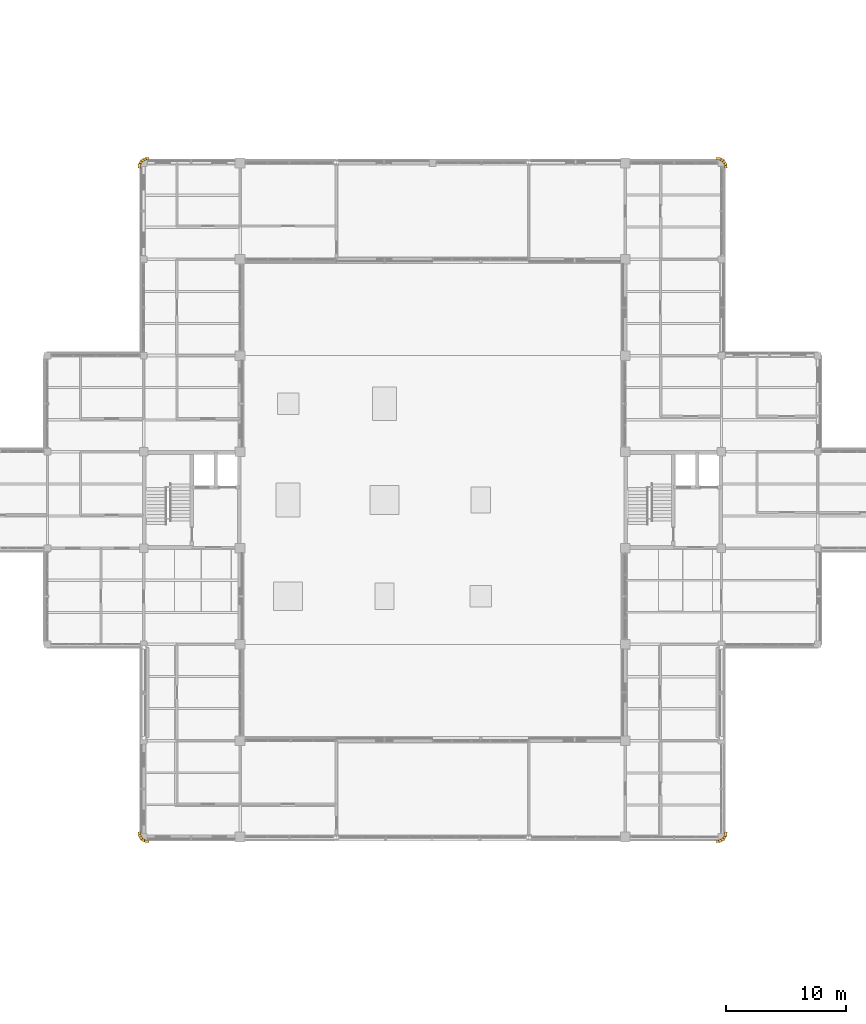
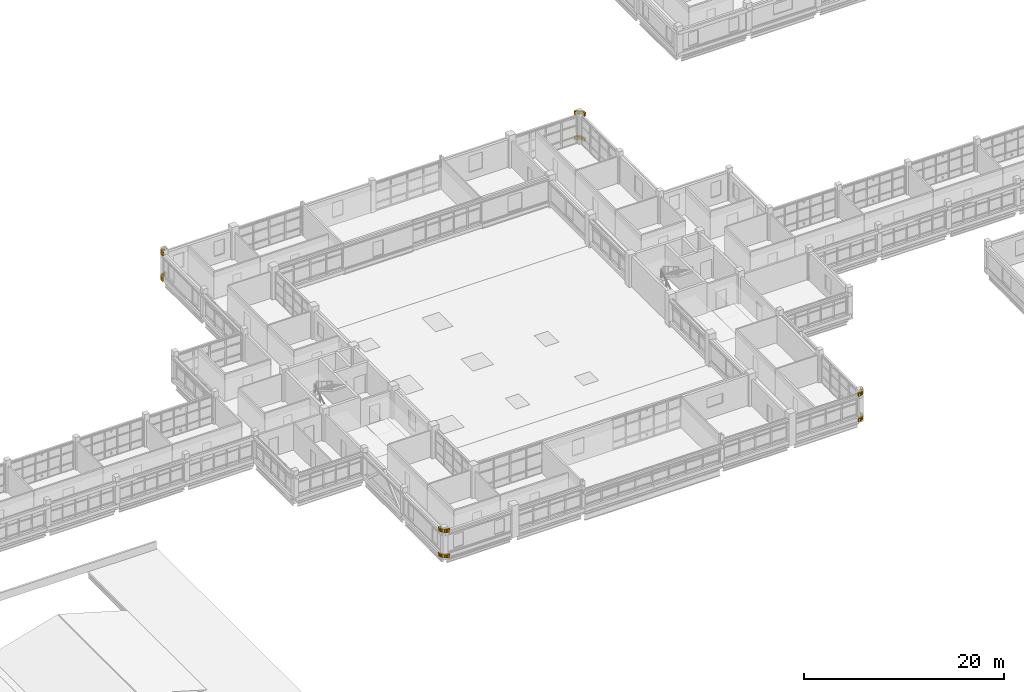
# One storey, part 107 of 107: 40 coverings.
"""IFC4 building model written with IfcOpenShell, lengths in metres."""

from ifc_helpers import new_model, si_unit, derived_unit, direction, frame, origin, origin_2d, place, context, subcontext, project, spatial, rectangle, extrude, material, layer, layer_set, type_object, element, save


model = new_model("IFC4")

# Units and contexts
model_context = context("Model", 3, precision=1e-05, world=origin(), true_north=direction((0.0, 1.0)))
body_context = subcontext(model_context, "Body", "Model", "MODEL_VIEW")
ifc_project = project(units=[si_unit("LENGTHUNIT", "METRE"), si_unit("AREAUNIT", "SQUARE_METRE"), si_unit("VOLUMEUNIT", "CUBIC_METRE"), si_unit("PLANEANGLEUNIT", "RADIAN"), si_unit("MASSUNIT", "GRAM", prefix="KILO"), derived_unit("THERMALTRANSMITTANCEUNIT", [(si_unit("MASSUNIT", "GRAM", prefix="KILO"), 1), (si_unit("TIMEUNIT", "SECOND"), -3), (si_unit("THERMODYNAMICTEMPERATUREUNIT", "KELVIN"), -1)])], contexts=[model_context])

# Site, building, storey
site_placement = place(None, origin())
site = spatial("IfcSite", under=ifc_project, at=site_placement, CompositionType="ELEMENT")
building_placement = place(site_placement, origin())
building = spatial("IfcBuilding", under=site, at=building_placement, Name="Veyamyaing Civic Hall", CompositionType="ELEMENT")
storey_placement = place(building_placement, frame((0.0, 0.0, 13.860107421875)))
storey = spatial("IfcBuildingStorey", under=building, at=storey_placement, Name="L03", CompositionType="ELEMENT", Elevation=13.860107421875)

# Coverings
ifc_material = material(Name="White powder-coated aluminium 6063-T6", Category="aluminium")
ifc_layer = layer(ifc_material, 0.2099609375, Name="White powder-coated aluminium 6063-T6")
ifc_layer_set = layer_set([ifc_layer], Name="White powder-coated aluminium 6063-T6")
covering_type = type_object("IfcCoveringType", Name="CL-03", PredefinedType="CLADDING", material=ifc_layer_set)
for number, where, z_axis, x_axis, name in (
    (1, (63.647705078125, 24.23876953125, 0.25), (0.0, 0.0, 1.0), (0.15643446504, -0.987688340595, 0.0), "Upper main block rounded corner white ribbon CL-03 L03 SW.1.1"),
    (2, (63.647705078125, 24.23876953125, 3.344970703125), (0.0, 0.0, 1.0), (0.15643446504, -0.987688340595, 0.0), "Upper main block rounded corner white ribbon CL-03 L03 SW.1.2"),
    (3, (63.71630859375, 24.027099609375, 0.25), (0.0, 0.0, 1.0), (0.45399049974, -0.891006524188, 0.0), "Upper main block rounded corner white ribbon CL-03 L03 SW.2.1"),
    (4, (63.71630859375, 24.027099609375, 3.344970703125), (0.0, 0.0, 1.0), (0.45399049974, -0.891006524188, 0.0), "Upper main block rounded corner white ribbon CL-03 L03 SW.2.2"),
    (5, (63.84716796875, 23.84716796875, 0.25), (0.0, 0.0, 1.0), (0.707106781187, -0.707106781187, 0.0), "Upper main block rounded corner white ribbon CL-03 L03 SW.3.1"),
    (6, (63.84716796875, 23.84716796875, 3.344970703125), (0.0, 0.0, 1.0), (0.707106781187, -0.707106781187, 0.0), "Upper main block rounded corner white ribbon CL-03 L03 SW.3.2"),
    (7, (64.027099609375, 23.71630859375, 0.25), (0.0, 0.0, 1.0), (0.891006524188, -0.45399049974, 0.0), "Upper main block rounded corner white ribbon CL-03 L03 SW.4.1"),
    (8, (64.027099609375, 23.71630859375, 3.344970703125), (0.0, 0.0, 1.0), (0.891006524188, -0.45399049974, 0.0), "Upper main block rounded corner white ribbon CL-03 L03 SW.4.2"),
    (9, (64.23876953125, 23.647705078125, 0.25), (0.0, 0.0, 1.0), (0.987688340595, -0.15643446504, 0.0), "Upper main block rounded corner white ribbon CL-03 L03 SW.5.1"),
    (10, (64.23876953125, 23.647705078125, 3.344970703125), (0.0, 0.0, 1.0), (0.987688340595, -0.15643446504, 0.0), "Upper main block rounded corner white ribbon CL-03 L03 SW.5.2"),
    (11, (111.76123046875, 23.647705078125, 0.25), (0.0, 0.0, 1.0), (0.987688340595, 0.15643446504, 0.0), "Upper main block rounded corner white ribbon CL-03 L03 SE.1.1"),
    (12, (111.76123046875, 23.647705078125, 3.344970703125), (0.0, 0.0, 1.0), (0.987688340595, 0.15643446504, 0.0), "Upper main block rounded corner white ribbon CL-03 L03 SE.1.2"),
    (13, (111.972900390625, 23.71630859375, 0.25), (0.0, 0.0, 1.0), (0.891006524188, 0.45399049974, 0.0), "Upper main block rounded corner white ribbon CL-03 L03 SE.2.1"),
    (14, (111.972900390625, 23.71630859375, 3.344970703125), (0.0, 0.0, 1.0), (0.891006524188, 0.45399049974, 0.0), "Upper main block rounded corner white ribbon CL-03 L03 SE.2.2"),
    (15, (112.15283203125, 23.84716796875, 0.25), (0.0, 0.0, 1.0), (0.707106781187, 0.707106781187, 0.0), "Upper main block rounded corner white ribbon CL-03 L03 SE.3.1"),
    (16, (112.15283203125, 23.84716796875, 3.344970703125), (0.0, 0.0, 1.0), (0.707106781187, 0.707106781187, 0.0), "Upper main block rounded corner white ribbon CL-03 L03 SE.3.2"),
    (17, (112.28369140625, 24.027099609375, 0.25), (0.0, 0.0, 1.0), (0.45399049974, 0.891006524188, 0.0), "Upper main block rounded corner white ribbon CL-03 L03 SE.4.1"),
    (18, (112.28369140625, 24.027099609375, 3.344970703125), (0.0, 0.0, 1.0), (0.45399049974, 0.891006524188, 0.0), "Upper main block rounded corner white ribbon CL-03 L03 SE.4.2"),
    (19, (112.352294921875, 24.23876953125, 0.25), (0.0, 0.0, 1.0), (0.15643446504, 0.987688340595, 0.0), "Upper main block rounded corner white ribbon CL-03 L03 SE.5.1"),
    (20, (112.352294921875, 24.23876953125, 3.344970703125), (0.0, 0.0, 1.0), (0.15643446504, 0.987688340595, 0.0), "Upper main block rounded corner white ribbon CL-03 L03 SE.5.2"),
    (21, (112.352294921875, 79.76123046875, 0.25), (0.0, 0.0, 1.0), (-0.15643446504, 0.987688340595, 0.0), "Upper main block rounded corner white ribbon CL-03 L03 NE.1.1"),
    (22, (112.352294921875, 79.76123046875, 3.344970703125), (0.0, 0.0, 1.0), (-0.15643446504, 0.987688340595, 0.0), "Upper main block rounded corner white ribbon CL-03 L03 NE.1.2"),
    (23, (112.28369140625, 79.972900390625, 0.25), (0.0, 0.0, 1.0), (-0.45399049974, 0.891006524188, 0.0), "Upper main block rounded corner white ribbon CL-03 L03 NE.2.1"),
    (24, (112.28369140625, 79.972900390625, 3.344970703125), (0.0, 0.0, 1.0), (-0.45399049974, 0.891006524188, 0.0), "Upper main block rounded corner white ribbon CL-03 L03 NE.2.2"),
    (25, (112.15283203125, 80.15283203125, 0.25), (0.0, 0.0, 1.0), (-0.707106781187, 0.707106781187, 0.0), "Upper main block rounded corner white ribbon CL-03 L03 NE.3.1"),
    (26, (112.15283203125, 80.15283203125, 3.344970703125), (0.0, 0.0, 1.0), (-0.707106781187, 0.707106781187, 0.0), "Upper main block rounded corner white ribbon CL-03 L03 NE.3.2"),
    (27, (111.972900390625, 80.28369140625, 0.25), (0.0, 0.0, 1.0), (-0.891006524188, 0.45399049974, 0.0), "Upper main block rounded corner white ribbon CL-03 L03 NE.4.1"),
    (28, (111.972900390625, 80.28369140625, 3.344970703125), (0.0, 0.0, 1.0), (-0.891006524188, 0.45399049974, 0.0), "Upper main block rounded corner white ribbon CL-03 L03 NE.4.2"),
    (29, (111.76123046875, 80.352294921875, 0.25), (0.0, 0.0, 1.0), (-0.987688340595, 0.15643446504, 0.0), "Upper main block rounded corner white ribbon CL-03 L03 NE.5.1"),
    (30, (111.76123046875, 80.352294921875, 3.344970703125), (0.0, 0.0, 1.0), (-0.987688340595, 0.15643446504, 0.0), "Upper main block rounded corner white ribbon CL-03 L03 NE.5.2"),
    (31, (64.23876953125, 80.352294921875, 0.25), (0.0, 0.0, 1.0), (-0.987688340595, -0.15643446504, 0.0), "Upper main block rounded corner white ribbon CL-03 L03 NW.1.1"),
    (32, (64.23876953125, 80.352294921875, 3.344970703125), (0.0, 0.0, 1.0), (-0.987688340595, -0.15643446504, 0.0), "Upper main block rounded corner white ribbon CL-03 L03 NW.1.2"),
    (33, (64.027099609375, 80.28369140625, 0.25), (0.0, 0.0, 1.0), (-0.891006524188, -0.45399049974, 0.0), "Upper main block rounded corner white ribbon CL-03 L03 NW.2.1"),
    (34, (64.027099609375, 80.28369140625, 3.344970703125), (0.0, 0.0, 1.0), (-0.891006524188, -0.45399049974, 0.0), "Upper main block rounded corner white ribbon CL-03 L03 NW.2.2"),
    (35, (63.84716796875, 80.15283203125, 0.25), (0.0, 0.0, 1.0), (-0.707106781187, -0.707106781187, 0.0), "Upper main block rounded corner white ribbon CL-03 L03 NW.3.1"),
    (36, (63.84716796875, 80.15283203125, 3.344970703125), (0.0, 0.0, 1.0), (-0.707106781187, -0.707106781187, 0.0), "Upper main block rounded corner white ribbon CL-03 L03 NW.3.2"),
    (37, (63.71630859375, 79.972900390625, 0.25), (0.0, 0.0, 1.0), (-0.45399049974, -0.891006524188, 0.0), "Upper main block rounded corner white ribbon CL-03 L03 NW.4.1"),
    (38, (63.71630859375, 79.972900390625, 3.344970703125), (0.0, 0.0, 1.0), (-0.45399049974, -0.891006524188, 0.0), "Upper main block rounded corner white ribbon CL-03 L03 NW.4.2"),
    (39, (63.647705078125, 79.76123046875, 0.25), (0.0, 0.0, 1.0), (-0.15643446504, -0.987688340595, 0.0), "Upper main block rounded corner white ribbon CL-03 L03 NW.5.1"),
    (40, (63.647705078125, 79.76123046875, 3.344970703125), (0.0, 0.0, 1.0), (-0.15643446504, -0.987688340595, 0.0), "Upper main block rounded corner white ribbon CL-03 L03 NW.5.2"),
):
    element("IfcCovering", number, at=place(storey_placement, frame(where, z_axis=z_axis, x_axis=x_axis)), inside=storey, type_object=covering_type, Name=name, PredefinedType="CLADDING", context=body_context, shape_type="SweptSolid", body=[
        extrude(rectangle(XDim=0.38525390625, YDim=0.2099609375, at=origin_2d()), origin(), (0.0, 0.0, 1.0), 0.39990234375),
    ])

save(model, "model.ifc")
